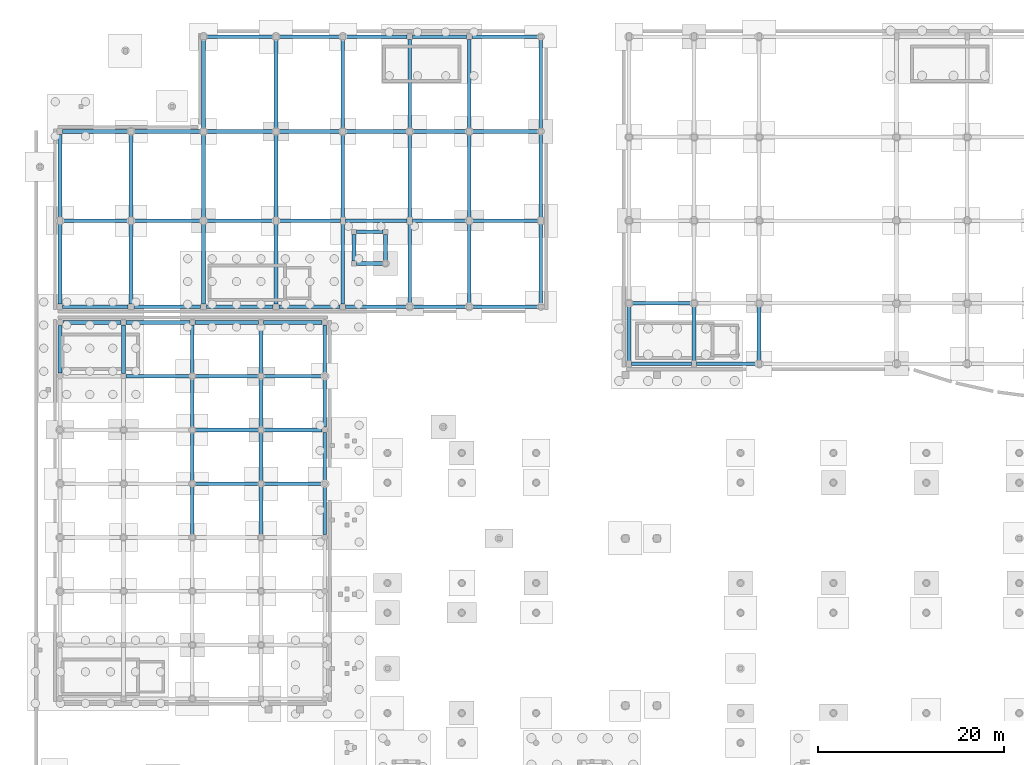
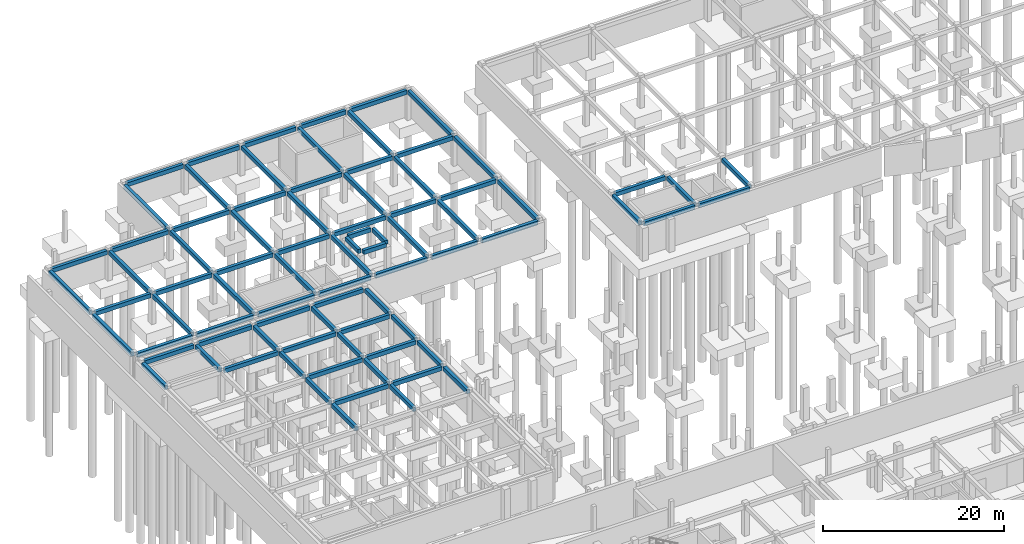
# One storey, part 12 of 22: 83 beams.
"""IFC4 building model written with IfcOpenShell, lengths in metres."""

from ifc_helpers import new_model, si_unit, direction, frame, origin, origin_2d, place, context, subcontext, project, spatial, rectangle, extrude, material, material_profile, profile_set, type_object, element, save


model = new_model("IFC4")

# Units and contexts
model_context = context("Model", 3, precision=1e-05, world=origin(), true_north=direction((0.0, 1.0)))
body_context = subcontext(model_context, "Body", "Model", "MODEL_VIEW")
ifc_project = project(units=[si_unit("LENGTHUNIT", "METRE"), si_unit("AREAUNIT", "SQUARE_METRE"), si_unit("VOLUMEUNIT", "CUBIC_METRE"), si_unit("PLANEANGLEUNIT", "RADIAN"), si_unit("MASSUNIT", "GRAM", prefix="KILO")], contexts=[model_context])

# Site, building, storey
site_placement = place(None, origin())
site = spatial("IfcSite", under=ifc_project, at=site_placement, CompositionType="ELEMENT")
building_placement = place(site_placement, origin())
building = spatial("IfcBuilding", under=site, at=building_placement, Name="Valcora Specialist Clinic", CompositionType="ELEMENT")
storey_placement = place(building_placement, frame((0.0, 0.0, -4.419921875)))
storey = spatial("IfcBuildingStorey", under=building, at=storey_placement, Name="B1", CompositionType="ELEMENT", Elevation=-4.419921875)

# Beams
ifc_material = material(Name="Concrete C35/45", Category="concrete")
ifc_material_profile = material_profile(ifc_material, rectangle(XDim=0.39990234375, YDim=0.550048828125, at=origin_2d()), Name="RC-TB-400X550")
ifc_profile_set = profile_set([ifc_material_profile], Name="Concrete C35/45")
beam_type = type_object("IfcBeamType", Name="TY-BM-TB400X550", PredefinedType="BEAM", material=ifc_profile_set)
beam_1_placement = place(storey_placement, frame((15.27490234375, 61.89306640625, 3.844970703125), z_axis=(1.0, 0.0, 0.0), x_axis=(0.0, 1.0, 0.0)))
element("IfcBeam", 1, at=beam_1_placement, inside=storey, type_object=beam_type, Name="Beam BM-B1-0019", PredefinedType="BEAM", context=body_context, shape_type="SweptSolid", body=[
    extrude(rectangle(XDim=0.39990234375, YDim=0.550048828125, at=origin_2d()), origin(), (0.0, 0.0, 1.0), 6.85009765625),
])
beam_2_placement = place(storey_placement, frame((22.675048828125, 61.89306640625, 3.844970703125), z_axis=(1.0, 0.0, 0.0), x_axis=(0.0, 1.0, 0.0)))
element("IfcBeam", 2, at=beam_2_placement, inside=storey, type_object=beam_type, Name="Beam BM-B1-0020", PredefinedType="BEAM", context=body_context, shape_type="SweptSolid", body=[
    extrude(rectangle(XDim=0.39990234375, YDim=0.550048828125, at=origin_2d()), origin(), (0.0, 0.0, 1.0), 6.27490234375),
])
beam_3_placement = place(storey_placement, frame((15.27490234375, 67.678955078125, 3.844970703125), z_axis=(1.0, 0.0, 0.0), x_axis=(0.0, 1.0, 0.0)))
element("IfcBeam", 3, at=beam_3_placement, inside=storey, type_object=beam_type, Name="Beam BM-B1-0023", PredefinedType="BEAM", context=body_context, shape_type="SweptSolid", body=[
    extrude(rectangle(XDim=0.39990234375, YDim=0.550048828125, at=origin_2d()), origin(), (0.0, 0.0, 1.0), 6.85009765625),
])
beam_4_placement = place(storey_placement, frame((22.675048828125, 67.678955078125, 3.844970703125), z_axis=(1.0, 0.0, 0.0), x_axis=(0.0, 1.0, 0.0)))
element("IfcBeam", 4, at=beam_4_placement, inside=storey, type_object=beam_type, Name="Beam BM-B1-0024", PredefinedType="BEAM", context=body_context, shape_type="SweptSolid", body=[
    extrude(rectangle(XDim=0.39990234375, YDim=0.550048828125, at=origin_2d()), origin(), (0.0, 0.0, 1.0), 6.27490234375),
])
for number, where, z_axis, x_axis, name in (
    (5, (7.875, 73.464111328125, 3.844970703125), (1.0, 0.0, 0.0), (0.0, 1.0, 0.0), "Beam BM-B1-0026"),
    (6, (15.27490234375, 73.464111328125, 3.844970703125), (1.0, 0.0, 0.0), (0.0, 1.0, 0.0), "Beam BM-B1-0027"),
):
    element("IfcBeam", number, at=place(storey_placement, frame(where, z_axis=z_axis, x_axis=x_axis)), inside=storey, type_object=beam_type, Name=name, PredefinedType="BEAM", context=body_context, shape_type="SweptSolid", body=[
        extrude(rectangle(XDim=0.39990234375, YDim=0.550048828125, at=origin_2d()), origin(), (0.0, 0.0, 1.0), 6.85009765625),
    ])
beam_5_placement = place(storey_placement, frame((22.675048828125, 73.464111328125, 3.844970703125), z_axis=(1.0, 0.0, 0.0), x_axis=(0.0, 1.0, 0.0)))
element("IfcBeam", 7, at=beam_5_placement, inside=storey, type_object=beam_type, Name="Beam BM-B1-0028", PredefinedType="BEAM", context=body_context, shape_type="SweptSolid", body=[
    extrude(rectangle(XDim=0.39990234375, YDim=0.550048828125, at=origin_2d()), origin(), (0.0, 0.0, 1.0), 6.27490234375),
])
beam_6_placement = place(storey_placement, frame((1.074951171875, 79.25, 3.844970703125), z_axis=(1.0, 0.0, 0.0), x_axis=(0.0, 1.0, 0.0)))
element("IfcBeam", 8, at=beam_6_placement, inside=storey, type_object=beam_type, Name="Beam BM-B1-0029", PredefinedType="BEAM", context=body_context, shape_type="SweptSolid", body=[
    extrude(rectangle(XDim=0.39990234375, YDim=0.550048828125, at=origin_2d()), origin(), (0.0, 0.0, 1.0), 6.25),
])
for number, where, z_axis, x_axis, name in (
    (9, (7.875, 79.25, 3.844970703125), (1.0, 0.0, 0.0), (0.0, 1.0, 0.0), "Beam BM-B1-0030"),
    (10, (15.27490234375, 79.25, 3.844970703125), (1.0, 0.0, 0.0), (0.0, 1.0, 0.0), "Beam BM-B1-0031"),
):
    element("IfcBeam", number, at=place(storey_placement, frame(where, z_axis=z_axis, x_axis=x_axis)), inside=storey, type_object=beam_type, Name=name, PredefinedType="BEAM", context=body_context, shape_type="SweptSolid", body=[
        extrude(rectangle(XDim=0.39990234375, YDim=0.550048828125, at=origin_2d()), origin(), (0.0, 0.0, 1.0), 6.85009765625),
    ])
beam_7_placement = place(storey_placement, frame((22.675048828125, 79.25, 3.844970703125), z_axis=(1.0, 0.0, 0.0), x_axis=(0.0, 1.0, 0.0)))
element("IfcBeam", 11, at=beam_7_placement, inside=storey, type_object=beam_type, Name="Beam BM-B1-0032", PredefinedType="BEAM", context=body_context, shape_type="SweptSolid", body=[
    extrude(rectangle(XDim=0.39990234375, YDim=0.550048828125, at=origin_2d()), origin(), (0.0, 0.0, 1.0), 6.27490234375),
])
beam_8_placement = place(storey_placement, frame((0.75, 73.7890625, 3.844970703125), z_axis=(0.0, 1.0, 0.0), x_axis=(-1.0, 0.0, 0.0)))
element("IfcBeam", 12, at=beam_8_placement, inside=storey, type_object=beam_type, Name="Beam BM-B1-0039", PredefinedType="BEAM", context=body_context, shape_type="SweptSolid", body=[
    extrude(rectangle(XDim=0.39990234375, YDim=0.550048828125, at=origin_2d()), origin(), (0.0, 0.0, 1.0), 5.135986328125),
])
beam_9_placement = place(storey_placement, frame((7.60009765625, 73.739013671875, 3.844970703125), z_axis=(0.0, 1.0, 0.0), x_axis=(-1.0, 0.0, 0.0)))
element("IfcBeam", 13, at=beam_9_placement, inside=storey, type_object=beam_type, Name="Beam BM-B1-0046", PredefinedType="BEAM", context=body_context, shape_type="SweptSolid", body=[
    extrude(rectangle(XDim=0.39990234375, YDim=0.550048828125, at=origin_2d()), origin(), (0.0, 0.0, 1.0), 5.236083984375),
])
beam_10_placement = place(storey_placement, frame((15.0, 56.382080078125, 3.844970703125), z_axis=(0.0, 1.0, 0.0), x_axis=(-1.0, 0.0, 0.0)))
element("IfcBeam", 14, at=beam_10_placement, inside=storey, type_object=beam_type, Name="Beam BM-B1-0050", PredefinedType="BEAM", context=body_context, shape_type="SweptSolid", body=[
    extrude(rectangle(XDim=0.39990234375, YDim=0.550048828125, at=origin_2d()), origin(), (0.0, 0.0, 1.0), 5.23583984375),
])
beam_11_placement = place(storey_placement, frame((15.0, 62.16796875, 3.844970703125), z_axis=(0.0, 1.0, 0.0), x_axis=(-1.0, 0.0, 0.0)))
element("IfcBeam", 15, at=beam_11_placement, inside=storey, type_object=beam_type, Name="Beam BM-B1-0051", PredefinedType="BEAM", context=body_context, shape_type="SweptSolid", body=[
    extrude(rectangle(XDim=0.39990234375, YDim=0.550048828125, at=origin_2d()), origin(), (0.0, 0.0, 1.0), 5.236083984375),
])
beam_12_placement = place(storey_placement, frame((15.0, 67.9541015625, 3.844970703125), z_axis=(0.0, 1.0, 0.0), x_axis=(-1.0, 0.0, 0.0)))
element("IfcBeam", 16, at=beam_12_placement, inside=storey, type_object=beam_type, Name="Beam BM-B1-0052", PredefinedType="BEAM", context=body_context, shape_type="SweptSolid", body=[
    extrude(rectangle(XDim=0.39990234375, YDim=0.550048828125, at=origin_2d()), origin(), (0.0, 0.0, 1.0), 5.23486328125),
])
beam_13_placement = place(storey_placement, frame((15.0, 73.739013671875, 3.844970703125), z_axis=(0.0, 1.0, 0.0), x_axis=(-1.0, 0.0, 0.0)))
element("IfcBeam", 17, at=beam_13_placement, inside=storey, type_object=beam_type, Name="Beam BM-B1-0053", PredefinedType="BEAM", context=body_context, shape_type="SweptSolid", body=[
    extrude(rectangle(XDim=0.39990234375, YDim=0.550048828125, at=origin_2d()), origin(), (0.0, 0.0, 1.0), 5.236083984375),
])
beam_14_placement = place(storey_placement, frame((22.39990234375, 56.382080078125, 3.844970703125), z_axis=(0.0, 1.0, 0.0), x_axis=(-1.0, 0.0, 0.0)))
element("IfcBeam", 18, at=beam_14_placement, inside=storey, type_object=beam_type, Name="Beam BM-B1-0057", PredefinedType="BEAM", context=body_context, shape_type="SweptSolid", body=[
    extrude(rectangle(XDim=0.39990234375, YDim=0.550048828125, at=origin_2d()), origin(), (0.0, 0.0, 1.0), 5.23583984375),
])
beam_15_placement = place(storey_placement, frame((22.39990234375, 62.16796875, 3.844970703125), z_axis=(0.0, 1.0, 0.0), x_axis=(-1.0, 0.0, 0.0)))
element("IfcBeam", 19, at=beam_15_placement, inside=storey, type_object=beam_type, Name="Beam BM-B1-0058", PredefinedType="BEAM", context=body_context, shape_type="SweptSolid", body=[
    extrude(rectangle(XDim=0.39990234375, YDim=0.550048828125, at=origin_2d()), origin(), (0.0, 0.0, 1.0), 5.236083984375),
])
beam_16_placement = place(storey_placement, frame((22.39990234375, 67.9541015625, 3.844970703125), z_axis=(0.0, 1.0, 0.0), x_axis=(-1.0, 0.0, 0.0)))
element("IfcBeam", 20, at=beam_16_placement, inside=storey, type_object=beam_type, Name="Beam BM-B1-0059", PredefinedType="BEAM", context=body_context, shape_type="SweptSolid", body=[
    extrude(rectangle(XDim=0.39990234375, YDim=0.550048828125, at=origin_2d()), origin(), (0.0, 0.0, 1.0), 5.23486328125),
])
beam_17_placement = place(storey_placement, frame((22.39990234375, 73.739013671875, 3.844970703125), z_axis=(0.0, 1.0, 0.0), x_axis=(-1.0, 0.0, 0.0)))
element("IfcBeam", 21, at=beam_17_placement, inside=storey, type_object=beam_type, Name="Beam BM-B1-0060", PredefinedType="BEAM", context=body_context, shape_type="SweptSolid", body=[
    extrude(rectangle(XDim=0.39990234375, YDim=0.550048828125, at=origin_2d()), origin(), (0.0, 0.0, 1.0), 5.236083984375),
])
beam_18_placement = place(storey_placement, frame((29.25, 56.406982421875, 3.844970703125), z_axis=(0.0, 1.0, 0.0), x_axis=(-1.0, 0.0, 0.0)))
element("IfcBeam", 22, at=beam_18_placement, inside=storey, type_object=beam_type, Name="Beam BM-B1-0064", PredefinedType="BEAM", context=body_context, shape_type="SweptSolid", body=[
    extrude(rectangle(XDim=0.39990234375, YDim=0.550048828125, at=origin_2d()), origin(), (0.0, 0.0, 1.0), 5.18603515625),
])
beam_19_placement = place(storey_placement, frame((29.25, 62.193115234375, 3.844970703125), z_axis=(0.0, 1.0, 0.0), x_axis=(-1.0, 0.0, 0.0)))
element("IfcBeam", 23, at=beam_19_placement, inside=storey, type_object=beam_type, Name="Beam BM-B1-0065", PredefinedType="BEAM", context=body_context, shape_type="SweptSolid", body=[
    extrude(rectangle(XDim=0.39990234375, YDim=0.550048828125, at=origin_2d()), origin(), (0.0, 0.0, 1.0), 5.185791015625),
])
beam_20_placement = place(storey_placement, frame((29.25, 67.97900390625, 3.844970703125), z_axis=(0.0, 1.0, 0.0), x_axis=(-1.0, 0.0, 0.0)))
element("IfcBeam", 24, at=beam_20_placement, inside=storey, type_object=beam_type, Name="Beam BM-B1-0066", PredefinedType="BEAM", context=body_context, shape_type="SweptSolid", body=[
    extrude(rectangle(XDim=0.39990234375, YDim=0.550048828125, at=origin_2d()), origin(), (0.0, 0.0, 1.0), 5.18505859375),
])
beam_21_placement = place(storey_placement, frame((29.25, 73.763916015625, 3.844970703125), z_axis=(0.0, 1.0, 0.0), x_axis=(-1.0, 0.0, 0.0)))
element("IfcBeam", 25, at=beam_21_placement, inside=storey, type_object=beam_type, Name="Beam BM-B1-0067", PredefinedType="BEAM", context=body_context, shape_type="SweptSolid", body=[
    extrude(rectangle(XDim=0.39990234375, YDim=0.550048828125, at=origin_2d()), origin(), (0.0, 0.0, 1.0), 5.18603515625),
])
beam_22_placement = place(storey_placement, frame((1.050048828125, 80.949951171875, 3.81494140625), z_axis=(1.0, 0.0, 0.0), x_axis=(0.0, 1.0, 0.0)))
element("IfcBeam", 26, at=beam_22_placement, inside=storey, type_object=beam_type, Name="Beam BM-B1-0189", PredefinedType="BEAM", context=body_context, shape_type="SweptSolid", body=[
    extrude(rectangle(XDim=0.39990234375, YDim=0.550048828125, at=origin_2d()), origin(), (0.0, 0.0, 1.0), 7.050048828125),
])
for number, where, z_axis, x_axis, name in (
    (27, (8.699951171875, 80.949951171875, 3.81494140625), (1.0, 0.0, 0.0), (0.0, 1.0, 0.0), "Beam BM-B1-0190"),
    (28, (16.5, 80.949951171875, 3.81494140625), (1.0, 0.0, 0.0), (0.0, 1.0, 0.0), "Beam BM-B1-0191"),
):
    element("IfcBeam", number, at=place(storey_placement, frame(where, z_axis=z_axis, x_axis=x_axis)), inside=storey, type_object=beam_type, Name=name, PredefinedType="BEAM", context=body_context, shape_type="SweptSolid", body=[
        extrude(rectangle(XDim=0.39990234375, YDim=0.550048828125, at=origin_2d()), origin(), (0.0, 0.0, 1.0), 7.199951171875),
    ])
beam_23_placement = place(storey_placement, frame((24.300048828125, 80.949951171875, 3.81494140625), z_axis=(1.0, 0.0, 0.0), x_axis=(0.0, 1.0, 0.0)))
element("IfcBeam", 29, at=beam_23_placement, inside=storey, type_object=beam_type, Name="Beam BM-B1-0192", PredefinedType="BEAM", context=body_context, shape_type="SweptSolid", body=[
    extrude(rectangle(XDim=0.39990234375, YDim=0.550048828125, at=origin_2d()), origin(), (0.0, 0.0, 1.0), 6.599853515625),
])
beam_24_placement = place(storey_placement, frame((31.5, 80.949951171875, 3.81494140625), z_axis=(1.0, 0.0, 0.0), x_axis=(0.0, 1.0, 0.0)))
element("IfcBeam", 30, at=beam_24_placement, inside=storey, type_object=beam_type, Name="Beam BM-B1-0193", PredefinedType="BEAM", context=body_context, shape_type="SweptSolid", body=[
    extrude(rectangle(XDim=0.39990234375, YDim=0.550048828125, at=origin_2d()), origin(), (0.0, 0.0, 1.0), 6.60009765625),
])
beam_25_placement = place(storey_placement, frame((38.699951171875, 80.949951171875, 3.81494140625), z_axis=(1.0, 0.0, 0.0), x_axis=(0.0, 1.0, 0.0)))
element("IfcBeam", 31, at=beam_25_placement, inside=storey, type_object=beam_type, Name="Beam BM-B1-0194", PredefinedType="BEAM", context=body_context, shape_type="SweptSolid", body=[
    extrude(rectangle(XDim=0.39990234375, YDim=0.550048828125, at=origin_2d()), origin(), (0.0, 0.0, 1.0), 5.800048828125),
])
beam_26_placement = place(storey_placement, frame((45.10009765625, 80.949951171875, 3.81494140625), z_axis=(1.0, 0.0, 0.0), x_axis=(0.0, 1.0, 0.0)))
element("IfcBeam", 32, at=beam_26_placement, inside=storey, type_object=beam_type, Name="Beam BM-B1-0195", PredefinedType="BEAM", context=body_context, shape_type="SweptSolid", body=[
    extrude(rectangle(XDim=0.39990234375, YDim=0.550048828125, at=origin_2d()), origin(), (0.0, 0.0, 1.0), 7.14990234375),
])
for number, where, z_axis, x_axis, name in (
    (33, (32.675048828125, 85.60009765625, 3.81494140625), (1.0, 0.0, 0.0), (0.0, 1.0, 0.0), "Beam BM-B1-0196"),
    (34, (32.675048828125, 89.0, 3.81494140625), (1.0, 0.0, 0.0), (0.0, 1.0, 0.0), "Beam BM-B1-0197"),
):
    element("IfcBeam", number, at=place(storey_placement, frame(where, z_axis=z_axis, x_axis=x_axis)), inside=storey, type_object=beam_type, Name=name, PredefinedType="BEAM", context=body_context, shape_type="SweptSolid", body=[
        extrude(rectangle(XDim=0.39990234375, YDim=0.550048828125, at=origin_2d()), origin(), (0.0, 0.0, 1.0), 2.849853515625),
    ])
beam_27_placement = place(storey_placement, frame((1.02490234375, 90.199951171875, 3.81494140625), z_axis=(1.0, 0.0, 0.0), x_axis=(0.0, 1.0, 0.0)))
element("IfcBeam", 35, at=beam_27_placement, inside=storey, type_object=beam_type, Name="Beam BM-B1-0198", PredefinedType="BEAM", context=body_context, shape_type="SweptSolid", body=[
    extrude(rectangle(XDim=0.39990234375, YDim=0.550048828125, at=origin_2d()), origin(), (0.0, 0.0, 1.0), 7.10009765625),
])
for number, where, z_axis, x_axis, name in (
    (36, (8.675048828125, 90.199951171875, 3.81494140625), (1.0, 0.0, 0.0), (0.0, 1.0, 0.0), "Beam BM-B1-0199"),
    (37, (16.47509765625, 90.199951171875, 3.81494140625), (1.0, 0.0, 0.0), (0.0, 1.0, 0.0), "Beam BM-B1-0200"),
):
    element("IfcBeam", number, at=place(storey_placement, frame(where, z_axis=z_axis, x_axis=x_axis)), inside=storey, type_object=beam_type, Name=name, PredefinedType="BEAM", context=body_context, shape_type="SweptSolid", body=[
        extrude(rectangle(XDim=0.39990234375, YDim=0.550048828125, at=origin_2d()), origin(), (0.0, 0.0, 1.0), 7.25),
    ])
beam_28_placement = place(storey_placement, frame((24.27490234375, 90.199951171875, 3.81494140625), z_axis=(1.0, 0.0, 0.0), x_axis=(0.0, 1.0, 0.0)))
element("IfcBeam", 38, at=beam_28_placement, inside=storey, type_object=beam_type, Name="Beam BM-B1-0201", PredefinedType="BEAM", context=body_context, shape_type="SweptSolid", body=[
    extrude(rectangle(XDim=0.39990234375, YDim=0.550048828125, at=origin_2d()), origin(), (0.0, 0.0, 1.0), 6.650146484375),
])
beam_29_placement = place(storey_placement, frame((31.47509765625, 90.199951171875, 3.81494140625), z_axis=(1.0, 0.0, 0.0), x_axis=(0.0, 1.0, 0.0)))
element("IfcBeam", 39, at=beam_29_placement, inside=storey, type_object=beam_type, Name="Beam BM-B1-0202", PredefinedType="BEAM", context=body_context, shape_type="SweptSolid", body=[
    extrude(rectangle(XDim=0.39990234375, YDim=0.550048828125, at=origin_2d()), origin(), (0.0, 0.0, 1.0), 6.64990234375),
])
beam_30_placement = place(storey_placement, frame((38.675048828125, 90.199951171875, 3.81494140625), z_axis=(1.0, 0.0, 0.0), x_axis=(0.0, 1.0, 0.0)))
element("IfcBeam", 40, at=beam_30_placement, inside=storey, type_object=beam_type, Name="Beam BM-B1-0203", PredefinedType="BEAM", context=body_context, shape_type="SweptSolid", body=[
    extrude(rectangle(XDim=0.39990234375, YDim=0.550048828125, at=origin_2d()), origin(), (0.0, 0.0, 1.0), 5.849853515625),
])
beam_31_placement = place(storey_placement, frame((45.074951171875, 90.199951171875, 3.81494140625), z_axis=(1.0, 0.0, 0.0), x_axis=(0.0, 1.0, 0.0)))
element("IfcBeam", 41, at=beam_31_placement, inside=storey, type_object=beam_type, Name="Beam BM-B1-0204", PredefinedType="BEAM", context=body_context, shape_type="SweptSolid", body=[
    extrude(rectangle(XDim=0.39990234375, YDim=0.550048828125, at=origin_2d()), origin(), (0.0, 0.0, 1.0), 7.150146484375),
])
beam_32_placement = place(storey_placement, frame((1.050048828125, 99.800048828125, 3.81494140625), z_axis=(1.0, 0.0, 0.0), x_axis=(0.0, 1.0, 0.0)))
element("IfcBeam", 42, at=beam_32_placement, inside=storey, type_object=beam_type, Name="Beam BM-B1-0205", PredefinedType="BEAM", context=body_context, shape_type="SweptSolid", body=[
    extrude(rectangle(XDim=0.39990234375, YDim=0.550048828125, at=origin_2d()), origin(), (0.0, 0.0, 1.0), 7.050048828125),
])
for number, where, z_axis, x_axis, name in (
    (43, (8.699951171875, 99.800048828125, 3.81494140625), (1.0, 0.0, 0.0), (0.0, 1.0, 0.0), "Beam BM-B1-0206"),
    (44, (16.5, 99.800048828125, 3.81494140625), (1.0, 0.0, 0.0), (0.0, 1.0, 0.0), "Beam BM-B1-0207"),
):
    element("IfcBeam", number, at=place(storey_placement, frame(where, z_axis=z_axis, x_axis=x_axis)), inside=storey, type_object=beam_type, Name=name, PredefinedType="BEAM", context=body_context, shape_type="SweptSolid", body=[
        extrude(rectangle(XDim=0.39990234375, YDim=0.550048828125, at=origin_2d()), origin(), (0.0, 0.0, 1.0), 7.199951171875),
    ])
beam_33_placement = place(storey_placement, frame((24.300048828125, 99.800048828125, 3.81494140625), z_axis=(1.0, 0.0, 0.0), x_axis=(0.0, 1.0, 0.0)))
element("IfcBeam", 45, at=beam_33_placement, inside=storey, type_object=beam_type, Name="Beam BM-B1-0208", PredefinedType="BEAM", context=body_context, shape_type="SweptSolid", body=[
    extrude(rectangle(XDim=0.39990234375, YDim=0.550048828125, at=origin_2d()), origin(), (0.0, 0.0, 1.0), 6.599853515625),
])
beam_34_placement = place(storey_placement, frame((31.5, 99.800048828125, 3.81494140625), z_axis=(1.0, 0.0, 0.0), x_axis=(0.0, 1.0, 0.0)))
element("IfcBeam", 46, at=beam_34_placement, inside=storey, type_object=beam_type, Name="Beam BM-B1-0209", PredefinedType="BEAM", context=body_context, shape_type="SweptSolid", body=[
    extrude(rectangle(XDim=0.39990234375, YDim=0.550048828125, at=origin_2d()), origin(), (0.0, 0.0, 1.0), 6.60009765625),
])
beam_35_placement = place(storey_placement, frame((38.699951171875, 99.800048828125, 3.81494140625), z_axis=(1.0, 0.0, 0.0), x_axis=(0.0, 1.0, 0.0)))
element("IfcBeam", 47, at=beam_35_placement, inside=storey, type_object=beam_type, Name="Beam BM-B1-0210", PredefinedType="BEAM", context=body_context, shape_type="SweptSolid", body=[
    extrude(rectangle(XDim=0.39990234375, YDim=0.550048828125, at=origin_2d()), origin(), (0.0, 0.0, 1.0), 5.800048828125),
])
beam_36_placement = place(storey_placement, frame((45.10009765625, 99.800048828125, 3.81494140625), z_axis=(1.0, 0.0, 0.0), x_axis=(0.0, 1.0, 0.0)))
element("IfcBeam", 48, at=beam_36_placement, inside=storey, type_object=beam_type, Name="Beam BM-B1-0211", PredefinedType="BEAM", context=body_context, shape_type="SweptSolid", body=[
    extrude(rectangle(XDim=0.39990234375, YDim=0.550048828125, at=origin_2d()), origin(), (0.0, 0.0, 1.0), 7.14990234375),
])
beam_37_placement = place(storey_placement, frame((16.5, 110.0, 3.81494140625), z_axis=(1.0, 0.0, 0.0), x_axis=(0.0, 1.0, 0.0)))
element("IfcBeam", 49, at=beam_37_placement, inside=storey, type_object=beam_type, Name="Beam BM-B1-0212", PredefinedType="BEAM", context=body_context, shape_type="SweptSolid", body=[
    extrude(rectangle(XDim=0.39990234375, YDim=0.550048828125, at=origin_2d()), origin(), (0.0, 0.0, 1.0), 7.199951171875),
])
beam_38_placement = place(storey_placement, frame((24.300048828125, 110.0, 3.81494140625), z_axis=(1.0, 0.0, 0.0), x_axis=(0.0, 1.0, 0.0)))
element("IfcBeam", 50, at=beam_38_placement, inside=storey, type_object=beam_type, Name="Beam BM-B1-0213", PredefinedType="BEAM", context=body_context, shape_type="SweptSolid", body=[
    extrude(rectangle(XDim=0.39990234375, YDim=0.550048828125, at=origin_2d()), origin(), (0.0, 0.0, 1.0), 6.599853515625),
])
beam_39_placement = place(storey_placement, frame((31.5, 110.0, 3.81494140625), z_axis=(1.0, 0.0, 0.0), x_axis=(0.0, 1.0, 0.0)))
element("IfcBeam", 51, at=beam_39_placement, inside=storey, type_object=beam_type, Name="Beam BM-B1-0214", PredefinedType="BEAM", context=body_context, shape_type="SweptSolid", body=[
    extrude(rectangle(XDim=0.39990234375, YDim=0.550048828125, at=origin_2d()), origin(), (0.0, 0.0, 1.0), 6.60009765625),
])
beam_40_placement = place(storey_placement, frame((38.699951171875, 110.0, 3.81494140625), z_axis=(1.0, 0.0, 0.0), x_axis=(0.0, 1.0, 0.0)))
element("IfcBeam", 52, at=beam_40_placement, inside=storey, type_object=beam_type, Name="Beam BM-B1-0215", PredefinedType="BEAM", context=body_context, shape_type="SweptSolid", body=[
    extrude(rectangle(XDim=0.39990234375, YDim=0.550048828125, at=origin_2d()), origin(), (0.0, 0.0, 1.0), 5.800048828125),
])
beam_41_placement = place(storey_placement, frame((45.10009765625, 110.0, 3.81494140625), z_axis=(1.0, 0.0, 0.0), x_axis=(0.0, 1.0, 0.0)))
element("IfcBeam", 53, at=beam_41_placement, inside=storey, type_object=beam_type, Name="Beam BM-B1-0216", PredefinedType="BEAM", context=body_context, shape_type="SweptSolid", body=[
    extrude(rectangle(XDim=0.39990234375, YDim=0.550048828125, at=origin_2d()), origin(), (0.0, 0.0, 1.0), 7.14990234375),
])
beam_42_placement = place(storey_placement, frame((0.75, 81.25, 3.81494140625), z_axis=(0.0, 1.0, 0.0), x_axis=(-1.0, 0.0, 0.0)))
element("IfcBeam", 54, at=beam_42_placement, inside=storey, type_object=beam_type, Name="Beam BM-B1-0217", PredefinedType="BEAM", context=body_context, shape_type="SweptSolid", body=[
    extrude(rectangle(XDim=0.39990234375, YDim=0.550048828125, at=origin_2d()), origin(), (0.0, 0.0, 1.0), 8.675048828125),
])
beam_43_placement = place(storey_placement, frame((0.75, 90.47509765625, 3.81494140625), z_axis=(0.0, 1.0, 0.0), x_axis=(-1.0, 0.0, 0.0)))
element("IfcBeam", 55, at=beam_43_placement, inside=storey, type_object=beam_type, Name="Beam BM-B1-0218", PredefinedType="BEAM", context=body_context, shape_type="SweptSolid", body=[
    extrude(rectangle(XDim=0.39990234375, YDim=0.550048828125, at=origin_2d()), origin(), (0.0, 0.0, 1.0), 9.02490234375),
])
beam_44_placement = place(storey_placement, frame((8.39990234375, 81.25, 3.81494140625), z_axis=(0.0, 1.0, 0.0), x_axis=(-1.0, 0.0, 0.0)))
element("IfcBeam", 56, at=beam_44_placement, inside=storey, type_object=beam_type, Name="Beam BM-B1-0219", PredefinedType="BEAM", context=body_context, shape_type="SweptSolid", body=[
    extrude(rectangle(XDim=0.39990234375, YDim=0.550048828125, at=origin_2d()), origin(), (0.0, 0.0, 1.0), 8.675048828125),
])
beam_45_placement = place(storey_placement, frame((8.39990234375, 90.47509765625, 3.81494140625), z_axis=(0.0, 1.0, 0.0), x_axis=(-1.0, 0.0, 0.0)))
element("IfcBeam", 57, at=beam_45_placement, inside=storey, type_object=beam_type, Name="Beam BM-B1-0220", PredefinedType="BEAM", context=body_context, shape_type="SweptSolid", body=[
    extrude(rectangle(XDim=0.39990234375, YDim=0.550048828125, at=origin_2d()), origin(), (0.0, 0.0, 1.0), 9.02490234375),
])
beam_46_placement = place(storey_placement, frame((16.199951171875, 81.25, 3.81494140625), z_axis=(0.0, 1.0, 0.0), x_axis=(-1.0, 0.0, 0.0)))
element("IfcBeam", 58, at=beam_46_placement, inside=storey, type_object=beam_type, Name="Beam BM-B1-0221", PredefinedType="BEAM", context=body_context, shape_type="SweptSolid", body=[
    extrude(rectangle(XDim=0.39990234375, YDim=0.550048828125, at=origin_2d()), origin(), (0.0, 0.0, 1.0), 8.675048828125),
])
beam_47_placement = place(storey_placement, frame((16.199951171875, 90.47509765625, 3.81494140625), z_axis=(0.0, 1.0, 0.0), x_axis=(-1.0, 0.0, 0.0)))
element("IfcBeam", 59, at=beam_47_placement, inside=storey, type_object=beam_type, Name="Beam BM-B1-0222", PredefinedType="BEAM", context=body_context, shape_type="SweptSolid", body=[
    extrude(rectangle(XDim=0.39990234375, YDim=0.550048828125, at=origin_2d()), origin(), (0.0, 0.0, 1.0), 9.02490234375),
])
beam_48_placement = place(storey_placement, frame((16.199951171875, 100.10009765625, 3.81494140625), z_axis=(0.0, 1.0, 0.0), x_axis=(-1.0, 0.0, 0.0)))
element("IfcBeam", 60, at=beam_48_placement, inside=storey, type_object=beam_type, Name="Beam BM-B1-0223", PredefinedType="BEAM", context=body_context, shape_type="SweptSolid", body=[
    extrude(rectangle(XDim=0.39990234375, YDim=0.550048828125, at=origin_2d()), origin(), (0.0, 0.0, 1.0), 9.599853515625),
])
beam_49_placement = place(storey_placement, frame((24.0, 81.25, 3.81494140625), z_axis=(0.0, 1.0, 0.0), x_axis=(-1.0, 0.0, 0.0)))
element("IfcBeam", 61, at=beam_49_placement, inside=storey, type_object=beam_type, Name="Beam BM-B1-0224", PredefinedType="BEAM", context=body_context, shape_type="SweptSolid", body=[
    extrude(rectangle(XDim=0.39990234375, YDim=0.550048828125, at=origin_2d()), origin(), (0.0, 0.0, 1.0), 8.675048828125),
])
beam_50_placement = place(storey_placement, frame((24.0, 90.47509765625, 3.81494140625), z_axis=(0.0, 1.0, 0.0), x_axis=(-1.0, 0.0, 0.0)))
element("IfcBeam", 62, at=beam_50_placement, inside=storey, type_object=beam_type, Name="Beam BM-B1-0225", PredefinedType="BEAM", context=body_context, shape_type="SweptSolid", body=[
    extrude(rectangle(XDim=0.39990234375, YDim=0.550048828125, at=origin_2d()), origin(), (0.0, 0.0, 1.0), 9.02490234375),
])
beam_51_placement = place(storey_placement, frame((24.0, 100.10009765625, 3.81494140625), z_axis=(0.0, 1.0, 0.0), x_axis=(-1.0, 0.0, 0.0)))
element("IfcBeam", 63, at=beam_51_placement, inside=storey, type_object=beam_type, Name="Beam BM-B1-0226", PredefinedType="BEAM", context=body_context, shape_type="SweptSolid", body=[
    extrude(rectangle(XDim=0.39990234375, YDim=0.550048828125, at=origin_2d()), origin(), (0.0, 0.0, 1.0), 9.599853515625),
])
beam_52_placement = place(storey_placement, frame((31.199951171875, 81.25, 3.81494140625), z_axis=(0.0, 1.0, 0.0), x_axis=(-1.0, 0.0, 0.0)))
element("IfcBeam", 64, at=beam_52_placement, inside=storey, type_object=beam_type, Name="Beam BM-B1-0227", PredefinedType="BEAM", context=body_context, shape_type="SweptSolid", body=[
    extrude(rectangle(XDim=0.39990234375, YDim=0.550048828125, at=origin_2d()), origin(), (0.0, 0.0, 1.0), 8.675048828125),
])
beam_53_placement = place(storey_placement, frame((31.199951171875, 90.47509765625, 3.81494140625), z_axis=(0.0, 1.0, 0.0), x_axis=(-1.0, 0.0, 0.0)))
element("IfcBeam", 65, at=beam_53_placement, inside=storey, type_object=beam_type, Name="Beam BM-B1-0228", PredefinedType="BEAM", context=body_context, shape_type="SweptSolid", body=[
    extrude(rectangle(XDim=0.39990234375, YDim=0.550048828125, at=origin_2d()), origin(), (0.0, 0.0, 1.0), 9.02490234375),
])
beam_54_placement = place(storey_placement, frame((31.199951171875, 100.10009765625, 3.81494140625), z_axis=(0.0, 1.0, 0.0), x_axis=(-1.0, 0.0, 0.0)))
element("IfcBeam", 66, at=beam_54_placement, inside=storey, type_object=beam_type, Name="Beam BM-B1-0229", PredefinedType="BEAM", context=body_context, shape_type="SweptSolid", body=[
    extrude(rectangle(XDim=0.39990234375, YDim=0.550048828125, at=origin_2d()), origin(), (0.0, 0.0, 1.0), 9.599853515625),
])
for number, where, z_axis, x_axis, name in (
    (67, (32.39990234375, 85.875, 3.81494140625), (0.0, 1.0, 0.0), (-1.0, 0.0, 0.0), "Beam BM-B1-0230"),
    (68, (35.800048828125, 85.875, 3.81494140625), (0.0, 1.0, 0.0), (-1.0, 0.0, 0.0), "Beam BM-B1-0231"),
):
    element("IfcBeam", number, at=place(storey_placement, frame(where, z_axis=z_axis, x_axis=x_axis)), inside=storey, type_object=beam_type, Name=name, PredefinedType="BEAM", context=body_context, shape_type="SweptSolid", body=[
        extrude(rectangle(XDim=0.39990234375, YDim=0.550048828125, at=origin_2d()), origin(), (0.0, 0.0, 1.0), 2.85009765625),
    ])
beam_55_placement = place(storey_placement, frame((38.39990234375, 81.25, 3.81494140625), z_axis=(0.0, 1.0, 0.0), x_axis=(-1.0, 0.0, 0.0)))
element("IfcBeam", 69, at=beam_55_placement, inside=storey, type_object=beam_type, Name="Beam BM-B1-0232", PredefinedType="BEAM", context=body_context, shape_type="SweptSolid", body=[
    extrude(rectangle(XDim=0.39990234375, YDim=0.550048828125, at=origin_2d()), origin(), (0.0, 0.0, 1.0), 8.675048828125),
])
beam_56_placement = place(storey_placement, frame((38.39990234375, 90.47509765625, 3.81494140625), z_axis=(0.0, 1.0, 0.0), x_axis=(-1.0, 0.0, 0.0)))
element("IfcBeam", 70, at=beam_56_placement, inside=storey, type_object=beam_type, Name="Beam BM-B1-0233", PredefinedType="BEAM", context=body_context, shape_type="SweptSolid", body=[
    extrude(rectangle(XDim=0.39990234375, YDim=0.550048828125, at=origin_2d()), origin(), (0.0, 0.0, 1.0), 9.02490234375),
])
beam_57_placement = place(storey_placement, frame((38.39990234375, 100.10009765625, 3.81494140625), z_axis=(0.0, 1.0, 0.0), x_axis=(-1.0, 0.0, 0.0)))
element("IfcBeam", 71, at=beam_57_placement, inside=storey, type_object=beam_type, Name="Beam BM-B1-0234", PredefinedType="BEAM", context=body_context, shape_type="SweptSolid", body=[
    extrude(rectangle(XDim=0.39990234375, YDim=0.550048828125, at=origin_2d()), origin(), (0.0, 0.0, 1.0), 9.599853515625),
])
beam_58_placement = place(storey_placement, frame((44.800048828125, 81.25, 3.81494140625), z_axis=(0.0, 1.0, 0.0), x_axis=(-1.0, 0.0, 0.0)))
element("IfcBeam", 72, at=beam_58_placement, inside=storey, type_object=beam_type, Name="Beam BM-B1-0235", PredefinedType="BEAM", context=body_context, shape_type="SweptSolid", body=[
    extrude(rectangle(XDim=0.39990234375, YDim=0.550048828125, at=origin_2d()), origin(), (0.0, 0.0, 1.0), 8.675048828125),
])
beam_59_placement = place(storey_placement, frame((44.800048828125, 90.47509765625, 3.81494140625), z_axis=(0.0, 1.0, 0.0), x_axis=(-1.0, 0.0, 0.0)))
element("IfcBeam", 73, at=beam_59_placement, inside=storey, type_object=beam_type, Name="Beam BM-B1-0236", PredefinedType="BEAM", context=body_context, shape_type="SweptSolid", body=[
    extrude(rectangle(XDim=0.39990234375, YDim=0.550048828125, at=origin_2d()), origin(), (0.0, 0.0, 1.0), 9.02490234375),
])
beam_60_placement = place(storey_placement, frame((44.800048828125, 100.10009765625, 3.81494140625), z_axis=(0.0, 1.0, 0.0), x_axis=(-1.0, 0.0, 0.0)))
element("IfcBeam", 74, at=beam_60_placement, inside=storey, type_object=beam_type, Name="Beam BM-B1-0237", PredefinedType="BEAM", context=body_context, shape_type="SweptSolid", body=[
    extrude(rectangle(XDim=0.39990234375, YDim=0.550048828125, at=origin_2d()), origin(), (0.0, 0.0, 1.0), 9.599853515625),
])
beam_61_placement = place(storey_placement, frame((52.5, 81.199951171875, 3.81494140625), z_axis=(0.0, 1.0, 0.0), x_axis=(-1.0, 0.0, 0.0)))
element("IfcBeam", 75, at=beam_61_placement, inside=storey, type_object=beam_type, Name="Beam BM-B1-0238", PredefinedType="BEAM", context=body_context, shape_type="SweptSolid", body=[
    extrude(rectangle(XDim=0.39990234375, YDim=0.550048828125, at=origin_2d()), origin(), (0.0, 0.0, 1.0), 8.72509765625),
])
beam_62_placement = place(storey_placement, frame((52.5, 90.47509765625, 3.81494140625), z_axis=(0.0, 1.0, 0.0), x_axis=(-1.0, 0.0, 0.0)))
element("IfcBeam", 76, at=beam_62_placement, inside=storey, type_object=beam_type, Name="Beam BM-B1-0239", PredefinedType="BEAM", context=body_context, shape_type="SweptSolid", body=[
    extrude(rectangle(XDim=0.39990234375, YDim=0.550048828125, at=origin_2d()), origin(), (0.0, 0.0, 1.0), 9.074951171875),
])
beam_63_placement = place(storey_placement, frame((52.5, 100.050048828125, 3.81494140625), z_axis=(0.0, 1.0, 0.0), x_axis=(-1.0, 0.0, 0.0)))
element("IfcBeam", 77, at=beam_63_placement, inside=storey, type_object=beam_type, Name="Beam BM-B1-0240", PredefinedType="BEAM", context=body_context, shape_type="SweptSolid", body=[
    extrude(rectangle(XDim=0.39990234375, YDim=0.550048828125, at=origin_2d()), origin(), (0.0, 0.0, 1.0), 9.699951171875),
])
for number, where, z_axis, x_axis, name in (
    (78, (62.25, 74.800048828125, 3.844970703125), (1.0, 0.0, 0.0), (0.0, 1.0, 0.0), "Beam BM-B1-0446"),
    (79, (69.25, 74.800048828125, 3.844970703125), (1.0, 0.0, 0.0), (0.0, 1.0, 0.0), "Beam BM-B1-0447"),
):
    element("IfcBeam", number, at=place(storey_placement, frame(where, z_axis=z_axis, x_axis=x_axis)), inside=storey, type_object=beam_type, Name=name, PredefinedType="BEAM", context=body_context, shape_type="SweptSolid", body=[
        extrude(rectangle(XDim=0.39990234375, YDim=0.550048828125, at=origin_2d()), origin(), (0.0, 0.0, 1.0), 6.5),
    ])
beam_64_placement = place(storey_placement, frame((62.300048828125, 81.300048828125, 3.844970703125), z_axis=(1.0, 0.0, 0.0), x_axis=(0.0, 1.0, 0.0)))
element("IfcBeam", 80, at=beam_64_placement, inside=storey, type_object=beam_type, Name="Beam BM-B1-0455", PredefinedType="BEAM", context=body_context, shape_type="SweptSolid", body=[
    extrude(rectangle(XDim=0.39990234375, YDim=0.550048828125, at=origin_2d()), origin(), (0.0, 0.0, 1.0), 6.39990234375),
])
for number, where, z_axis, x_axis, name in (
    (81, (62.0, 75.050048828125, 3.844970703125), (0.0, 1.0, 0.0), (-1.0, 0.0, 0.0), "Beam BM-B1-0491"),
    (82, (69.0, 75.050048828125, 3.844970703125), (0.0, 1.0, 0.0), (-1.0, 0.0, 0.0), "Beam BM-B1-0495"),
    (83, (76.0, 75.050048828125, 3.844970703125), (0.0, 1.0, 0.0), (-1.0, 0.0, 0.0), "Beam BM-B1-0499"),
):
    element("IfcBeam", number, at=place(storey_placement, frame(where, z_axis=z_axis, x_axis=x_axis)), inside=storey, type_object=beam_type, Name=name, PredefinedType="BEAM", context=body_context, shape_type="SweptSolid", body=[
        extrude(rectangle(XDim=0.39990234375, YDim=0.550048828125, at=origin_2d()), origin(), (0.0, 0.0, 1.0), 5.949951171875),
    ])

save(model, "model.ifc")
